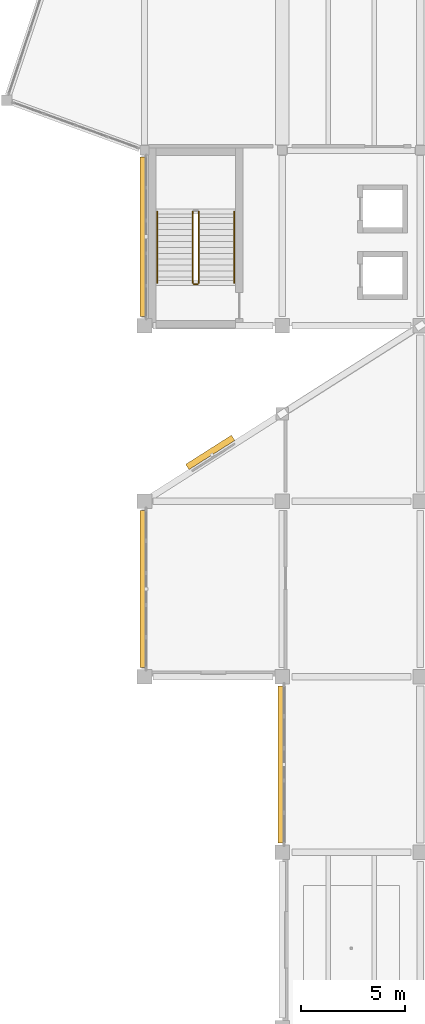
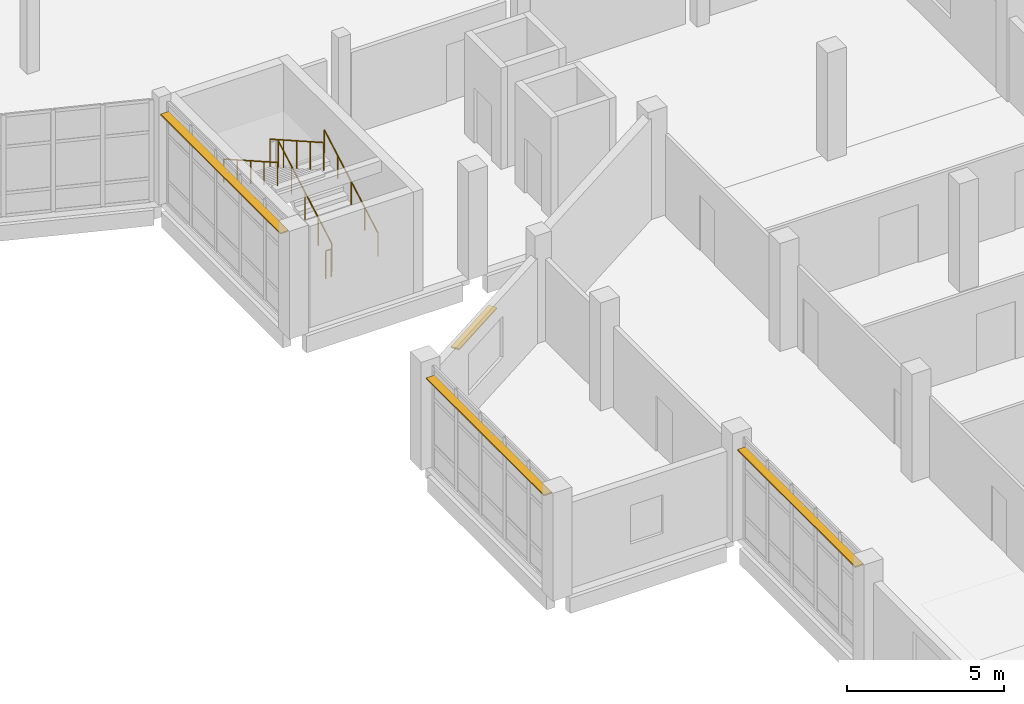
# One storey, part 71 of 74: 5 railings, 4 shading devices.
"""IFC4 building model written with IfcOpenShell, lengths in metres."""

from ifc_helpers import new_model, si_unit, direction, frame, origin, origin_2d, place, context, subcontext, project, spatial, rectangle, circle, extrude, material, layer, layer_set, type_object, element, save


model = new_model("IFC4")

# Units and contexts
model_context = context("Model", 3, precision=1e-05, world=origin(), true_north=direction((0.0, 1.0)))
body_context = subcontext(model_context, "Body", "Model", "MODEL_VIEW")
ifc_project = project(units=[si_unit("LENGTHUNIT", "METRE"), si_unit("AREAUNIT", "SQUARE_METRE"), si_unit("VOLUMEUNIT", "CUBIC_METRE"), si_unit("PLANEANGLEUNIT", "RADIAN"), si_unit("MASSUNIT", "GRAM", prefix="KILO")], contexts=[model_context])

# Site, building, storey
site_placement = place(None, origin())
site = spatial("IfcSite", under=ifc_project, at=site_placement, CompositionType="ELEMENT")
building_placement = place(site_placement, origin())
building = spatial("IfcBuilding", under=site, at=building_placement, Name="Qaldarim Faculty of Natural and Applied Sciences", CompositionType="ELEMENT")
storey_placement = place(building_placement, frame((0.0, 0.0, 14.39990234375)))
storey = spatial("IfcBuildingStorey", under=building, at=storey_placement, Name="L03", CompositionType="ELEMENT", Elevation=14.39990234375)

# Railings
ifc_material_1 = material(Name="Architectural stainless steel 316", Category="steel")
railing_type_1 = type_object("IfcRailingType", Name="GuardBalustrade-1100", PredefinedType="BALUSTRADE", material=ifc_material_1)
railing_1_placement = place(storey_placement, frame((154.39990234375, 60.85009765625, 0.16015625)))
element("IfcRailing", 1, at=railing_1_placement, inside=storey, type_object=railing_type_1, Name="ST-C1 L03 stair well guard 1", PredefinedType="BALUSTRADE", context=body_context, shape_type="SweptSolid", body=[
    extrude(circle(Radius=0.02392578125, at=origin_2d()), frame((0.0, 0.0, 1.076171875), z_axis=(0.0, 0.869805479697, 0.493394798806), x_axis=(-1.0, 0.0, 0.0)), (0.0, 0.0, 1.0), 3.931884765625),
    extrude(circle(Radius=0.02099609375, at=origin_2d()), origin(), (0.0, 0.0, 1.0), 1.052001953125),
    extrude(circle(Radius=0.02099609375, at=origin_2d()), frame((0.0, 0.85498046875, 0.48486328125)), (0.0, 0.0, 1.0), 1.052001953125),
    extrude(circle(Radius=0.02099609375, at=origin_2d()), frame((0.0, 1.7099609375, 0.969970703125)), (0.0, 0.0, 1.0), 1.052001953125),
    extrude(circle(Radius=0.02099609375, at=origin_2d()), frame((0.0, 2.56494140625, 1.455078125)), (0.0, 0.0, 1.0), 1.052001953125),
    extrude(circle(Radius=0.02099609375, at=origin_2d()), frame((0.0, 3.419921875, 1.93994140625)), (0.0, 0.0, 1.0), 1.052001953125),
])
railing_2_placement = place(storey_placement, frame((154.10009765625, 64.27001953125, 2.260009765625)))
element("IfcRailing", 2, at=railing_2_placement, inside=storey, type_object=railing_type_1, Name="ST-C1 L03 stair well guard 3", PredefinedType="BALUSTRADE", context=body_context, shape_type="SweptSolid", body=[
    extrude(circle(Radius=0.02392578125, at=origin_2d()), frame((0.0, 0.0, 1.076171875), z_axis=(0.0, -0.869778831362, 0.493441774189), x_axis=(1.0, 0.0, 0.0)), (0.0, 0.0, 1.0), 3.931884765625),
    extrude(circle(Radius=0.02099609375, at=origin_2d()), origin(), (0.0, 0.0, 1.0), 1.052001953125),
    extrude(circle(Radius=0.02099609375, at=origin_2d()), frame((0.0, -0.85498046875, 0.485107421875)), (0.0, 0.0, 1.0), 1.052001953125),
    extrude(circle(Radius=0.02099609375, at=origin_2d()), frame((0.0, -1.7099609375, 0.97021484375)), (0.0, 0.0, 1.0), 1.052001953125),
    extrude(circle(Radius=0.02099609375, at=origin_2d()), frame((0.0, -2.56494140625, 1.455078125)), (0.0, 0.0, 1.0), 1.052001953125),
    extrude(circle(Radius=0.02099609375, at=origin_2d()), frame((0.0, -3.419921875, 1.940185546875)), (0.0, 0.0, 1.0), 1.052001953125),
])
railing_3_placement = place(storey_placement, frame((154.35009765625, 60.800048828125, 0.0)))
element("IfcRailing", 3, at=railing_3_placement, inside=storey, type_object=railing_type_1, Name="ST-C1 L03 stair well guard 4", PredefinedType="BALUSTRADE", context=body_context, shape_type="SweptSolid", body=[
    extrude(circle(Radius=0.02392578125, at=origin_2d()), frame((0.0, 0.0, 1.076171875), z_axis=(-1.0, 0.0, 0.0), x_axis=(0.0, -1.0, 0.0)), (0.0, 0.0, 1.0), 0.2001953125),
    extrude(circle(Radius=0.02099609375, at=origin_2d()), origin(), (0.0, 0.0, 1.0), 1.052001953125),
    extrude(circle(Radius=0.02099609375, at=origin_2d()), frame((-0.2001953125, 0.0, 0.0)), (0.0, 0.0, 1.0), 1.052001953125),
])

# Shading devices
ifc_material_2 = material(Name="Champagne anodised aluminium AW-6063", Category="aluminium")
ifc_layer = layer(ifc_material_2, 0.050048828125)
ifc_layer_set = layer_set([ifc_layer], Name="Champagne anodised aluminium AW-6063")
shading_device_type = type_object("IfcShadingDeviceType", Name="SolarLouvre-ALU300x50", PredefinedType="JALOUSIE", material=ifc_layer_set)
shading_device_1_placement = place(storey_placement, frame((151.72998046875, 46.199951171875, 3.56494140625), z_axis=(0.0, 0.0, 1.0), x_axis=(0.0, 1.0, 0.0)))
element("IfcShadingDevice", 4, at=shading_device_1_placement, inside=storey, type_object=shading_device_type, Name="Horizontal solar louvre L03 W X24Y06", PredefinedType="JALOUSIE", context=body_context, shape_type="SweptSolid", body=[
    extrude(rectangle(XDim=7.510009765625, YDim=0.300048828125, at=origin_2d()), origin(), (0.0, 0.0, 1.0), 0.050048828125),
])
shading_device_2_placement = place(storey_placement, frame((151.72998046875, 63.06005859375, 3.56494140625), z_axis=(0.0, 0.0, 1.0), x_axis=(0.0, 1.0, 0.0)))
element("IfcShadingDevice", 5, at=shading_device_2_placement, inside=storey, type_object=shading_device_type, Name="Horizontal solar louvre L03 W X24Y08", PredefinedType="JALOUSIE", context=body_context, shape_type="SweptSolid", body=[
    extrude(rectangle(XDim=7.635009765625, YDim=0.300048828125, at=origin_2d()), origin(), (0.0, 0.0, 1.0), 0.050048828125),
])
shading_device_3_placement = place(storey_placement, frame((158.330078125, 37.800048828125, 3.56494140625), z_axis=(0.0, 0.0, 1.0), x_axis=(0.0, 1.0, 0.0)))
element("IfcShadingDevice", 6, at=shading_device_3_placement, inside=storey, type_object=shading_device_type, Name="Horizontal solar louvre L03 W X25Y05", PredefinedType="JALOUSIE", context=body_context, shape_type="SweptSolid", body=[
    extrude(rectangle(XDim=7.510009765625, YDim=0.300048828125, at=origin_2d()), origin(), (0.0, 0.0, 1.0), 0.050048828125),
])
shading_device_4_placement = place(storey_placement, frame((154.945068359375, 52.739990234375, 2.67529296875), z_axis=(0.0, 0.0, 1.0), x_axis=(0.843775713382, 0.536695952571, 0.0)))
element("IfcShadingDevice", 7, at=shading_device_4_placement, inside=storey, type_object=shading_device_type, Name="Oblique facade horizontal solar louvre SHD-OBL-NW-L03-1", PredefinedType="JALOUSIE", context=body_context, shape_type="SweptSolid", body=[
    extrude(rectangle(XDim=2.60009765625, YDim=0.300048828125, at=origin_2d()), origin(), (0.0, 0.0, 1.0), 0.050048828125),
])

# Railings
railing_type_2 = type_object("IfcRailingType", Name="StairHandrail-920", PredefinedType="HANDRAIL", material=ifc_material_1)
railing_4_placement = place(storey_placement, frame((156.10009765625, 60.85009765625, 0.16015625)))
element("IfcRailing", 8, at=railing_4_placement, inside=storey, type_object=railing_type_2, Name="ST-C1 L03 stair handrail 1", PredefinedType="HANDRAIL", context=body_context, shape_type="SweptSolid", body=[
    extrude(circle(Radius=0.02392578125, at=origin_2d()), frame((0.0, 0.0, 0.89599609375), z_axis=(0.0, 0.869805479697, 0.493394798806), x_axis=(-1.0, 0.0, 0.0)), (0.0, 0.0, 1.0), 3.931884765625),
    extrude(circle(Radius=0.02099609375, at=origin_2d()), origin(), (0.0, 0.0, 1.0), 0.871826171875),
    extrude(circle(Radius=0.02099609375, at=origin_2d()), frame((0.0, 0.85498046875, 0.48486328125)), (0.0, 0.0, 1.0), 0.871826171875),
    extrude(circle(Radius=0.02099609375, at=origin_2d()), frame((0.0, 1.7099609375, 0.969970703125)), (0.0, 0.0, 1.0), 0.871826171875),
    extrude(circle(Radius=0.02099609375, at=origin_2d()), frame((0.0, 2.56494140625, 1.455078125)), (0.0, 0.0, 1.0), 0.871826171875),
    extrude(circle(Radius=0.02099609375, at=origin_2d()), frame((0.0, 3.419921875, 1.93994140625)), (0.0, 0.0, 1.0), 0.871826171875),
])
railing_5_placement = place(storey_placement, frame((152.39990234375, 64.27001953125, 2.260009765625)))
element("IfcRailing", 9, at=railing_5_placement, inside=storey, type_object=railing_type_2, Name="ST-C1 L03 stair handrail 2", PredefinedType="HANDRAIL", context=body_context, shape_type="SweptSolid", body=[
    extrude(circle(Radius=0.02392578125, at=origin_2d()), frame((0.0, 0.0, 0.89599609375), z_axis=(0.0, -0.869778831362, 0.493441774189), x_axis=(1.0, 0.0, 0.0)), (0.0, 0.0, 1.0), 3.931884765625),
    extrude(circle(Radius=0.02099609375, at=origin_2d()), origin(), (0.0, 0.0, 1.0), 0.871826171875),
    extrude(circle(Radius=0.02099609375, at=origin_2d()), frame((0.0, -0.85498046875, 0.485107421875)), (0.0, 0.0, 1.0), 0.871826171875),
    extrude(circle(Radius=0.02099609375, at=origin_2d()), frame((0.0, -1.7099609375, 0.97021484375)), (0.0, 0.0, 1.0), 0.871826171875),
    extrude(circle(Radius=0.02099609375, at=origin_2d()), frame((0.0, -2.56494140625, 1.455078125)), (0.0, 0.0, 1.0), 0.871826171875),
    extrude(circle(Radius=0.02099609375, at=origin_2d()), frame((0.0, -3.419921875, 1.940185546875)), (0.0, 0.0, 1.0), 0.871826171875),
])

save(model, "model.ifc")
